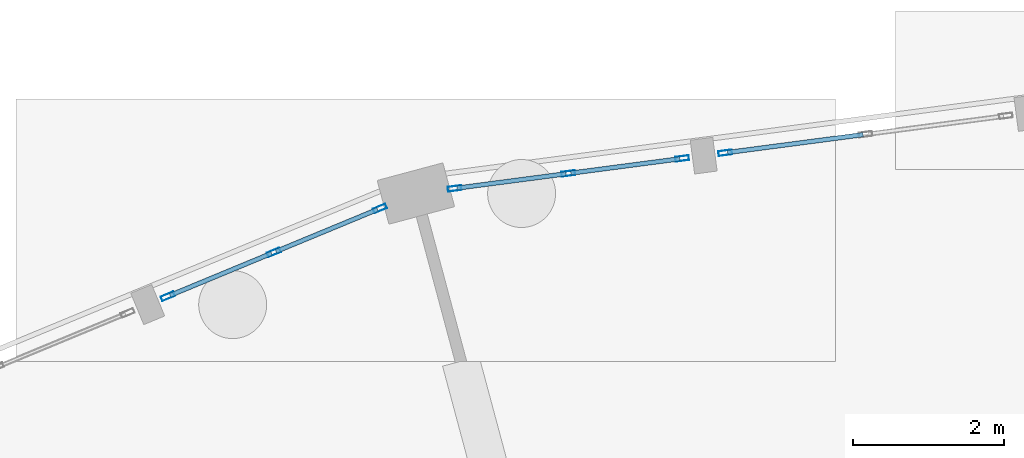
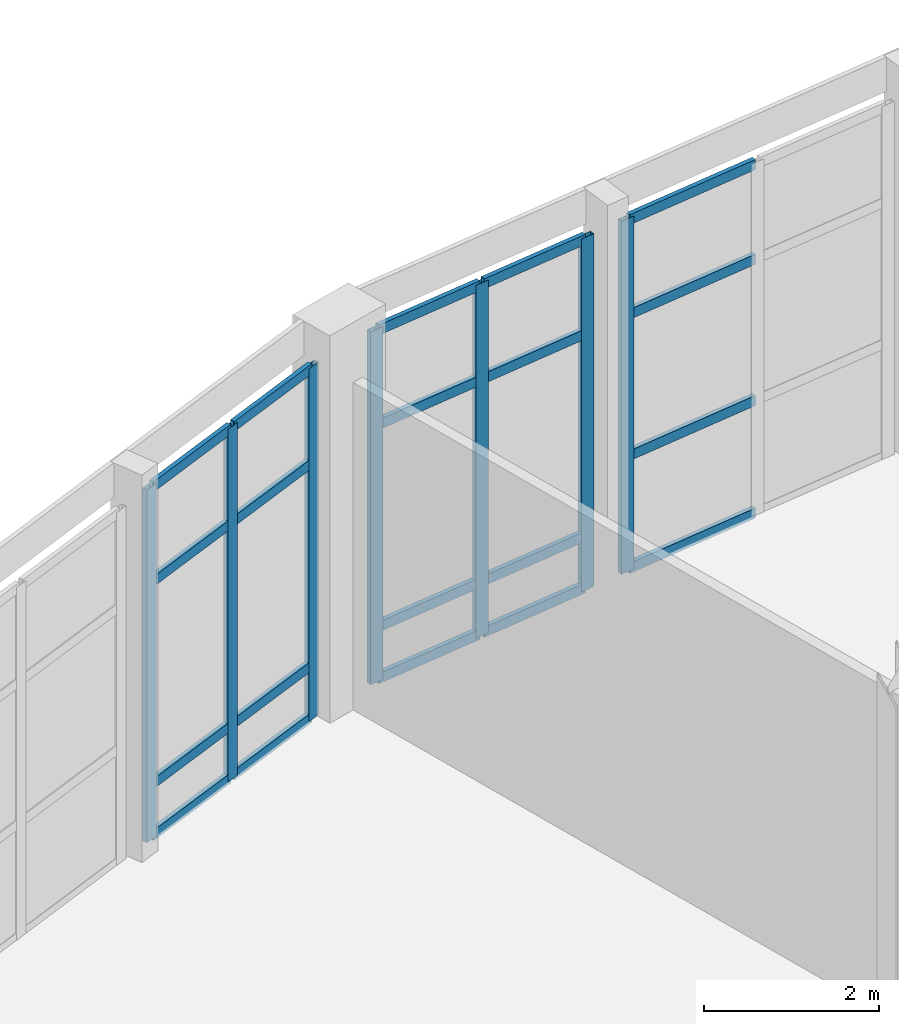
# One storey, part 59 of 137: 27 members, 3 elements without a shape of their own.
"""IFC4 building model written with IfcOpenShell, lengths in metres."""

from ifc_helpers import new_model, si_unit, direction, frame, origin, origin_2d, place, context, subcontext, project, spatial, hollow_rectangle, extrude, material, material_profile, profile_set, type_object, element, aggregate, save


model = new_model("IFC4")

# Units and contexts
model_context = context("Model", 3, precision=1e-05, world=origin(), true_north=direction((0.0, 1.0)))
body_context = subcontext(model_context, "Body", "Model", "MODEL_VIEW")
ifc_project = project(units=[si_unit("LENGTHUNIT", "METRE"), si_unit("AREAUNIT", "SQUARE_METRE"), si_unit("VOLUMEUNIT", "CUBIC_METRE"), si_unit("PLANEANGLEUNIT", "RADIAN"), si_unit("MASSUNIT", "GRAM", prefix="KILO")], contexts=[model_context])

# Site, building, storey
site_placement = place(None, origin())
site = spatial("IfcSite", under=ifc_project, at=site_placement, CompositionType="ELEMENT")
building_placement = place(site_placement, origin())
building = spatial("IfcBuilding", under=site, at=building_placement, Name="Vondelvale Polytechnic", CompositionType="ELEMENT")
storey_placement = place(building_placement, origin())
storey = spatial("IfcBuildingStorey", under=building, at=storey_placement, Name="L00", CompositionType="ELEMENT", Elevation=0.0)

# Curtain wall, member
ifc_material_1 = material(Name="Glulam GL18 structural Tasmanian oak (fb = 42 MPa)", Category="wood")
curtain_wall_type = type_object("IfcCurtainWallType", Name="CW-RING-OUTER", PredefinedType="NOTDEFINED", material=ifc_material_1)
curtain_wall_1_placement = place(storey_placement, origin())
curtain_wall_1 = element("IfcCurtainWall", 1, at=curtain_wall_1_placement, inside=storey, type_object=curtain_wall_type, Name="L00 architectural curtain wall CW-04-153", PredefinedType="NOTDEFINED")
ifc_material_2 = material(Name="Anodised extruded aluminium 6063-T6", Category="aluminium")
ifc_material_profile_1 = material_profile(ifc_material_2, hollow_rectangle(XDim=0.06494140625, YDim=0.179931640625, WallThickness=0.00390625, at=origin_2d()), Name="CW-MUL-180x65")
ifc_profile_set_1 = profile_set([ifc_material_profile_1], Name="Anodised extruded aluminium 6063-T6")
member_type_1 = type_object("IfcMemberType", Name="CW-MUL-65x180", PredefinedType="MULLION", material=ifc_profile_set_1)
member_1_placement = place(storey_placement, frame((94.189208984375, 116.9716796875, 0.0), z_axis=(0.0, 0.0, 1.0), x_axis=(0.130497251349, -0.991448671082, 0.0)))
member_1 = element("IfcMember", 2, at=member_1_placement, type_object=member_type_1, Name="CW-04-153 mullion 3", PredefinedType="MULLION", context=body_context, shape_type="SweptSolid", body=[
    extrude(hollow_rectangle(XDim=0.06494140625, YDim=0.179931640625, WallThickness=0.00390625, at=origin_2d()), origin(), (0.0, 0.0, 1.0), 4.919921875),
])

# Curtain wall, members
curtain_wall_2_placement = place(storey_placement, origin())
curtain_wall_2 = element("IfcCurtainWall", 3, at=curtain_wall_2_placement, inside=storey, type_object=curtain_wall_type, Name="L00 architectural curtain wall CW-04-154", PredefinedType="NOTDEFINED")
member_2_placement = place(storey_placement, frame((93.619140625, 116.896728515625, 0.0), z_axis=(0.0, 0.0, 1.0), x_axis=(0.130523690099, -0.991445190781, 0.0)))
member_2 = element("IfcMember", 4, at=member_2_placement, type_object=member_type_1, Name="CW-04-154 mullion 1", PredefinedType="MULLION", context=body_context, shape_type="SweptSolid", body=[
    extrude(hollow_rectangle(XDim=0.06494140625, YDim=0.179931640625, WallThickness=0.00390625, at=origin_2d()), origin(), (0.0, 0.0, 1.0), 4.919921875),
])
member_3_placement = place(storey_placement, frame((92.11279296875, 116.6982421875, 0.0), z_axis=(0.0, 0.0, 1.0), x_axis=(0.130523690099, -0.991445190781, 0.0)))
member_3 = element("IfcMember", 5, at=member_3_placement, type_object=member_type_1, Name="CW-04-154 mullion 2", PredefinedType="MULLION", context=body_context, shape_type="SweptSolid", body=[
    extrude(hollow_rectangle(XDim=0.06494140625, YDim=0.179931640625, WallThickness=0.00390625, at=origin_2d()), origin(), (0.0, 0.0, 1.0), 4.919921875),
])
member_4_placement = place(storey_placement, frame((90.6064453125, 116.5, 0.0), z_axis=(0.0, 0.0, 1.0), x_axis=(0.130523690099, -0.991445190781, 0.0)))
member_4 = element("IfcMember", 6, at=member_4_placement, type_object=member_type_1, Name="CW-04-154 mullion 3", PredefinedType="MULLION", context=body_context, shape_type="SweptSolid", body=[
    extrude(hollow_rectangle(XDim=0.06494140625, YDim=0.179931640625, WallThickness=0.00390625, at=origin_2d()), origin(), (0.0, 0.0, 1.0), 4.919921875),
])

curtain_wall_3_placement = place(storey_placement, origin())
curtain_wall_3 = element("IfcCurtainWall", 7, at=curtain_wall_3_placement, inside=storey, type_object=curtain_wall_type, Name="L00 architectural curtain wall CW-04-172", PredefinedType="NOTDEFINED")
member_5_placement = place(storey_placement, frame((89.6171875, 116.23486328125, 0.0), z_axis=(0.0, 0.0, 1.0), x_axis=(0.382679040691, -0.92388135159, 0.0)))
member_5 = element("IfcMember", 8, at=member_5_placement, type_object=member_type_1, Name="CW-04-172 mullion 1", PredefinedType="MULLION", context=body_context, shape_type="SweptSolid", body=[
    extrude(hollow_rectangle(XDim=0.06494140625, YDim=0.179931640625, WallThickness=0.00390625, at=origin_2d()), origin(), (0.0, 0.0, 1.0), 4.919921875),
])
member_6_placement = place(storey_placement, frame((88.21337890625, 115.653564453125, 0.0), z_axis=(0.0, 0.0, 1.0), x_axis=(0.382679040691, -0.92388135159, 0.0)))
member_6 = element("IfcMember", 9, at=member_6_placement, type_object=member_type_1, Name="CW-04-172 mullion 2", PredefinedType="MULLION", context=body_context, shape_type="SweptSolid", body=[
    extrude(hollow_rectangle(XDim=0.06494140625, YDim=0.179931640625, WallThickness=0.00390625, at=origin_2d()), origin(), (0.0, 0.0, 1.0), 4.919921875),
])
member_7_placement = place(storey_placement, frame((86.809814453125, 115.072021484375, 0.0), z_axis=(0.0, 0.0, 1.0), x_axis=(0.382679040691, -0.92388135159, 0.0)))
member_7 = element("IfcMember", 10, at=member_7_placement, type_object=member_type_1, Name="CW-04-172 mullion 3", PredefinedType="MULLION", context=body_context, shape_type="SweptSolid", body=[
    extrude(hollow_rectangle(XDim=0.06494140625, YDim=0.179931640625, WallThickness=0.00390625, at=origin_2d()), origin(), (0.0, 0.0, 1.0), 4.919921875),
])

# Member
ifc_material_profile_2 = material_profile(ifc_material_2, hollow_rectangle(XDim=0.06005859375, YDim=0.139892578125, WallThickness=0.00341796875, at=origin_2d()), Name="CW-TRN-140x60")
ifc_profile_set_2 = profile_set([ifc_material_profile_2], Name="Anodised extruded aluminium 6063-T6")
member_type_2 = type_object("IfcMemberType", Name="CW-TRN-60x140", PredefinedType="USERDEFINED", material=ifc_profile_set_2)
member_8_placement = place(storey_placement, frame((96.014892578125, 117.212158203125, 0.030029296875), z_axis=(-0.991446943979, -0.130510372288, 0.0), x_axis=(0.130510372288, -0.991446943979, 0.0)))
member_8 = element("IfcMember", 11, at=member_8_placement, type_object=member_type_2, Name="CW-04-153 transom 2.1", ObjectType="TRANSOM", PredefinedType="USERDEFINED", context=body_context, shape_type="SweptSolid", body=[
    extrude(hollow_rectangle(XDim=0.06005859375, YDim=0.139892578125, WallThickness=0.00341796875, at=origin_2d()), origin(), (0.0, 0.0, 1.0), 1.808837890625),
])

member_9_placement = place(storey_placement, frame((96.014892578125, 117.212158203125, 1.60009765625), z_axis=(-0.991446943979, -0.130510372288, 0.0), x_axis=(0.130510372288, -0.991446943979, 0.0)))
member_9 = element("IfcMember", 12, at=member_9_placement, type_object=member_type_2, Name="CW-04-153 transom 2.2", ObjectType="TRANSOM", PredefinedType="USERDEFINED", context=body_context, shape_type="SweptSolid", body=[
    extrude(hollow_rectangle(XDim=0.06005859375, YDim=0.139892578125, WallThickness=0.00341796875, at=origin_2d()), origin(), (0.0, 0.0, 1.0), 1.808837890625),
])

member_10_placement = place(storey_placement, frame((96.014892578125, 117.212158203125, 3.570068359375), z_axis=(-0.991446943979, -0.130510372288, 0.0), x_axis=(0.130510372288, -0.991446943979, 0.0)))
member_10 = element("IfcMember", 13, at=member_10_placement, type_object=member_type_2, Name="CW-04-153 transom 2.3", ObjectType="TRANSOM", PredefinedType="USERDEFINED", context=body_context, shape_type="SweptSolid", body=[
    extrude(hollow_rectangle(XDim=0.06005859375, YDim=0.139892578125, WallThickness=0.00341796875, at=origin_2d()), origin(), (0.0, 0.0, 1.0), 1.808837890625),
])

member_11_placement = place(storey_placement, frame((96.014892578125, 117.212158203125, 4.889892578125), z_axis=(-0.991446943979, -0.130510372288, 0.0), x_axis=(0.130510372288, -0.991446943979, 0.0)))
member_11 = element("IfcMember", 14, at=member_11_placement, type_object=member_type_2, Name="CW-04-153 transom 2.4", ObjectType="TRANSOM", PredefinedType="USERDEFINED", context=body_context, shape_type="SweptSolid", body=[
    extrude(hollow_rectangle(XDim=0.06005859375, YDim=0.139892578125, WallThickness=0.00341796875, at=origin_2d()), origin(), (0.0, 0.0, 1.0), 1.808837890625),
])

aggregate(curtain_wall_1, [member_1, member_8, member_9, member_10, member_11])

member_12_placement = place(storey_placement, frame((93.5869140625, 116.892333984375, 0.030029296875), z_axis=(-0.991456580928, -0.130437142462, 0.0), x_axis=(0.130437142462, -0.991456580928, 0.0)))
member_12 = element("IfcMember", 15, at=member_12_placement, type_object=member_type_2, Name="CW-04-154 transom 1.1", ObjectType="TRANSOM", PredefinedType="USERDEFINED", context=body_context, shape_type="SweptSolid", body=[
    extrude(hollow_rectangle(XDim=0.06005859375, YDim=0.139892578125, WallThickness=0.00341796875, at=origin_2d()), origin(), (0.0, 0.0, 1.0), 1.454345703125),
])

member_13_placement = place(storey_placement, frame((93.5869140625, 116.892333984375, 0.75), z_axis=(-0.991456580928, -0.130437142462, 0.0), x_axis=(0.130437142462, -0.991456580928, 0.0)))
member_13 = element("IfcMember", 16, at=member_13_placement, type_object=member_type_2, Name="CW-04-154 transom 1.2", ObjectType="TRANSOM", PredefinedType="USERDEFINED", context=body_context, shape_type="SweptSolid", body=[
    extrude(hollow_rectangle(XDim=0.06005859375, YDim=0.139892578125, WallThickness=0.00341796875, at=origin_2d()), origin(), (0.0, 0.0, 1.0), 1.454345703125),
])

member_14_placement = place(storey_placement, frame((93.5869140625, 116.892333984375, 3.570068359375), z_axis=(-0.991456580928, -0.130437142462, 0.0), x_axis=(0.130437142462, -0.991456580928, 0.0)))
member_14 = element("IfcMember", 17, at=member_14_placement, type_object=member_type_2, Name="CW-04-154 transom 1.3", ObjectType="TRANSOM", PredefinedType="USERDEFINED", context=body_context, shape_type="SweptSolid", body=[
    extrude(hollow_rectangle(XDim=0.06005859375, YDim=0.139892578125, WallThickness=0.00341796875, at=origin_2d()), origin(), (0.0, 0.0, 1.0), 1.454345703125),
])

member_15_placement = place(storey_placement, frame((93.5869140625, 116.892333984375, 4.889892578125), z_axis=(-0.991456580928, -0.130437142462, 0.0), x_axis=(0.130437142462, -0.991456580928, 0.0)))
member_15 = element("IfcMember", 18, at=member_15_placement, type_object=member_type_2, Name="CW-04-154 transom 1.4", ObjectType="TRANSOM", PredefinedType="USERDEFINED", context=body_context, shape_type="SweptSolid", body=[
    extrude(hollow_rectangle(XDim=0.06005859375, YDim=0.139892578125, WallThickness=0.00341796875, at=origin_2d()), origin(), (0.0, 0.0, 1.0), 1.454345703125),
])

member_16_placement = place(storey_placement, frame((92.08056640625, 116.694091796875, 0.030029296875), z_axis=(-0.991456580928, -0.130437142462, 0.0), x_axis=(0.130437142462, -0.991456580928, 0.0)))
member_16 = element("IfcMember", 19, at=member_16_placement, type_object=member_type_2, Name="CW-04-154 transom 2.1", ObjectType="TRANSOM", PredefinedType="USERDEFINED", context=body_context, shape_type="SweptSolid", body=[
    extrude(hollow_rectangle(XDim=0.06005859375, YDim=0.139892578125, WallThickness=0.00341796875, at=origin_2d()), origin(), (0.0, 0.0, 1.0), 1.454345703125),
])

member_17_placement = place(storey_placement, frame((92.08056640625, 116.694091796875, 0.75), z_axis=(-0.991456580928, -0.130437142462, 0.0), x_axis=(0.130437142462, -0.991456580928, 0.0)))
member_17 = element("IfcMember", 20, at=member_17_placement, type_object=member_type_2, Name="CW-04-154 transom 2.2", ObjectType="TRANSOM", PredefinedType="USERDEFINED", context=body_context, shape_type="SweptSolid", body=[
    extrude(hollow_rectangle(XDim=0.06005859375, YDim=0.139892578125, WallThickness=0.00341796875, at=origin_2d()), origin(), (0.0, 0.0, 1.0), 1.454345703125),
])

member_18_placement = place(storey_placement, frame((92.08056640625, 116.694091796875, 3.570068359375), z_axis=(-0.991456580928, -0.130437142462, 0.0), x_axis=(0.130437142462, -0.991456580928, 0.0)))
member_18 = element("IfcMember", 21, at=member_18_placement, type_object=member_type_2, Name="CW-04-154 transom 2.3", ObjectType="TRANSOM", PredefinedType="USERDEFINED", context=body_context, shape_type="SweptSolid", body=[
    extrude(hollow_rectangle(XDim=0.06005859375, YDim=0.139892578125, WallThickness=0.00341796875, at=origin_2d()), origin(), (0.0, 0.0, 1.0), 1.454345703125),
])

member_19_placement = place(storey_placement, frame((92.08056640625, 116.694091796875, 4.889892578125), z_axis=(-0.991456580928, -0.130437142462, 0.0), x_axis=(0.130437142462, -0.991456580928, 0.0)))
member_19 = element("IfcMember", 22, at=member_19_placement, type_object=member_type_2, Name="CW-04-154 transom 2.4", ObjectType="TRANSOM", PredefinedType="USERDEFINED", context=body_context, shape_type="SweptSolid", body=[
    extrude(hollow_rectangle(XDim=0.06005859375, YDim=0.139892578125, WallThickness=0.00341796875, at=origin_2d()), origin(), (0.0, 0.0, 1.0), 1.454345703125),
])

aggregate(curtain_wall_2, [member_2, member_3, member_4, member_12, member_13, member_14, member_15, member_16, member_17, member_18, member_19])

member_20_placement = place(storey_placement, frame((89.587158203125, 116.222412109375, 0.030029296875), z_axis=(-0.923928870591, -0.382564297979, 0.0), x_axis=(0.382564297979, -0.923928870591, 0.0)))
member_20 = element("IfcMember", 23, at=member_20_placement, type_object=member_type_2, Name="CW-04-172 transom 1.1", ObjectType="TRANSOM", PredefinedType="USERDEFINED", context=body_context, shape_type="SweptSolid", body=[
    extrude(hollow_rectangle(XDim=0.06005859375, YDim=0.139892578125, WallThickness=0.00341796875, at=origin_2d()), origin(), (0.0, 0.0, 1.0), 1.454345703125),
])

member_21_placement = place(storey_placement, frame((89.587158203125, 116.222412109375, 0.75), z_axis=(-0.923928870591, -0.382564297979, 0.0), x_axis=(0.382564297979, -0.923928870591, 0.0)))
member_21 = element("IfcMember", 24, at=member_21_placement, type_object=member_type_2, Name="CW-04-172 transom 1.2", ObjectType="TRANSOM", PredefinedType="USERDEFINED", context=body_context, shape_type="SweptSolid", body=[
    extrude(hollow_rectangle(XDim=0.06005859375, YDim=0.139892578125, WallThickness=0.00341796875, at=origin_2d()), origin(), (0.0, 0.0, 1.0), 1.454345703125),
])

member_22_placement = place(storey_placement, frame((89.587158203125, 116.222412109375, 3.570068359375), z_axis=(-0.923928870591, -0.382564297979, 0.0), x_axis=(0.382564297979, -0.923928870591, 0.0)))
member_22 = element("IfcMember", 25, at=member_22_placement, type_object=member_type_2, Name="CW-04-172 transom 1.3", ObjectType="TRANSOM", PredefinedType="USERDEFINED", context=body_context, shape_type="SweptSolid", body=[
    extrude(hollow_rectangle(XDim=0.06005859375, YDim=0.139892578125, WallThickness=0.00341796875, at=origin_2d()), origin(), (0.0, 0.0, 1.0), 1.454345703125),
])

member_23_placement = place(storey_placement, frame((89.587158203125, 116.222412109375, 4.889892578125), z_axis=(-0.923928870591, -0.382564297979, 0.0), x_axis=(0.382564297979, -0.923928870591, 0.0)))
member_23 = element("IfcMember", 26, at=member_23_placement, type_object=member_type_2, Name="CW-04-172 transom 1.4", ObjectType="TRANSOM", PredefinedType="USERDEFINED", context=body_context, shape_type="SweptSolid", body=[
    extrude(hollow_rectangle(XDim=0.06005859375, YDim=0.139892578125, WallThickness=0.00341796875, at=origin_2d()), origin(), (0.0, 0.0, 1.0), 1.454345703125),
])

member_24_placement = place(storey_placement, frame((88.183349609375, 115.64111328125, 0.030029296875), z_axis=(-0.923844938863, -0.382766938144, 0.0), x_axis=(0.382766938144, -0.923844938863, 0.0)))
member_24 = element("IfcMember", 27, at=member_24_placement, type_object=member_type_2, Name="CW-04-172 transom 2.1", ObjectType="TRANSOM", PredefinedType="USERDEFINED", context=body_context, shape_type="SweptSolid", body=[
    extrude(hollow_rectangle(XDim=0.06005859375, YDim=0.139892578125, WallThickness=0.00341796875, at=origin_2d()), origin(), (0.0, 0.0, 1.0), 1.454345703125),
])

member_25_placement = place(storey_placement, frame((88.183349609375, 115.64111328125, 0.75), z_axis=(-0.923844938863, -0.382766938144, 0.0), x_axis=(0.382766938144, -0.923844938863, 0.0)))
member_25 = element("IfcMember", 28, at=member_25_placement, type_object=member_type_2, Name="CW-04-172 transom 2.2", ObjectType="TRANSOM", PredefinedType="USERDEFINED", context=body_context, shape_type="SweptSolid", body=[
    extrude(hollow_rectangle(XDim=0.06005859375, YDim=0.139892578125, WallThickness=0.00341796875, at=origin_2d()), origin(), (0.0, 0.0, 1.0), 1.454345703125),
])

member_26_placement = place(storey_placement, frame((88.183349609375, 115.64111328125, 3.570068359375), z_axis=(-0.923844938863, -0.382766938144, 0.0), x_axis=(0.382766938144, -0.923844938863, 0.0)))
member_26 = element("IfcMember", 29, at=member_26_placement, type_object=member_type_2, Name="CW-04-172 transom 2.3", ObjectType="TRANSOM", PredefinedType="USERDEFINED", context=body_context, shape_type="SweptSolid", body=[
    extrude(hollow_rectangle(XDim=0.06005859375, YDim=0.139892578125, WallThickness=0.00341796875, at=origin_2d()), origin(), (0.0, 0.0, 1.0), 1.454345703125),
])

member_27_placement = place(storey_placement, frame((88.183349609375, 115.64111328125, 4.889892578125), z_axis=(-0.923844938863, -0.382766938144, 0.0), x_axis=(0.382766938144, -0.923844938863, 0.0)))
member_27 = element("IfcMember", 30, at=member_27_placement, type_object=member_type_2, Name="CW-04-172 transom 2.4", ObjectType="TRANSOM", PredefinedType="USERDEFINED", context=body_context, shape_type="SweptSolid", body=[
    extrude(hollow_rectangle(XDim=0.06005859375, YDim=0.139892578125, WallThickness=0.00341796875, at=origin_2d()), origin(), (0.0, 0.0, 1.0), 1.454345703125),
])

aggregate(curtain_wall_3, [member_5, member_6, member_7, member_20, member_21, member_22, member_23, member_24, member_25, member_26, member_27])

save(model, "model.ifc")
